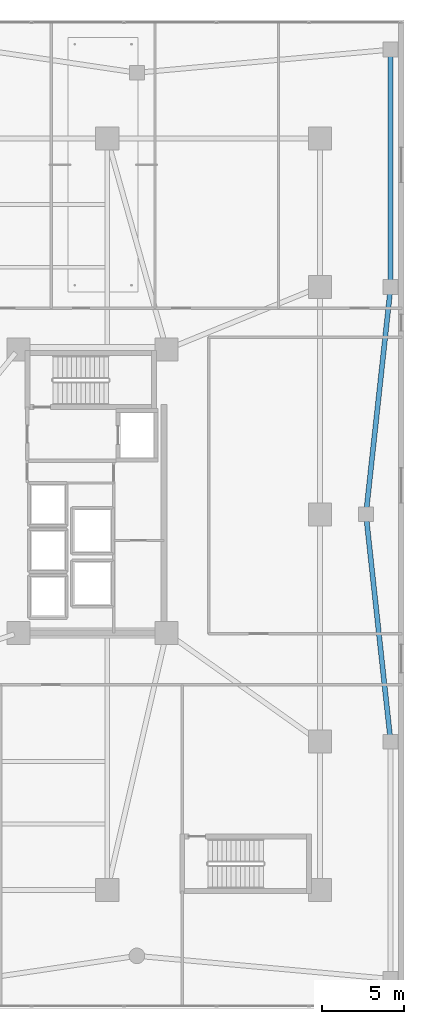
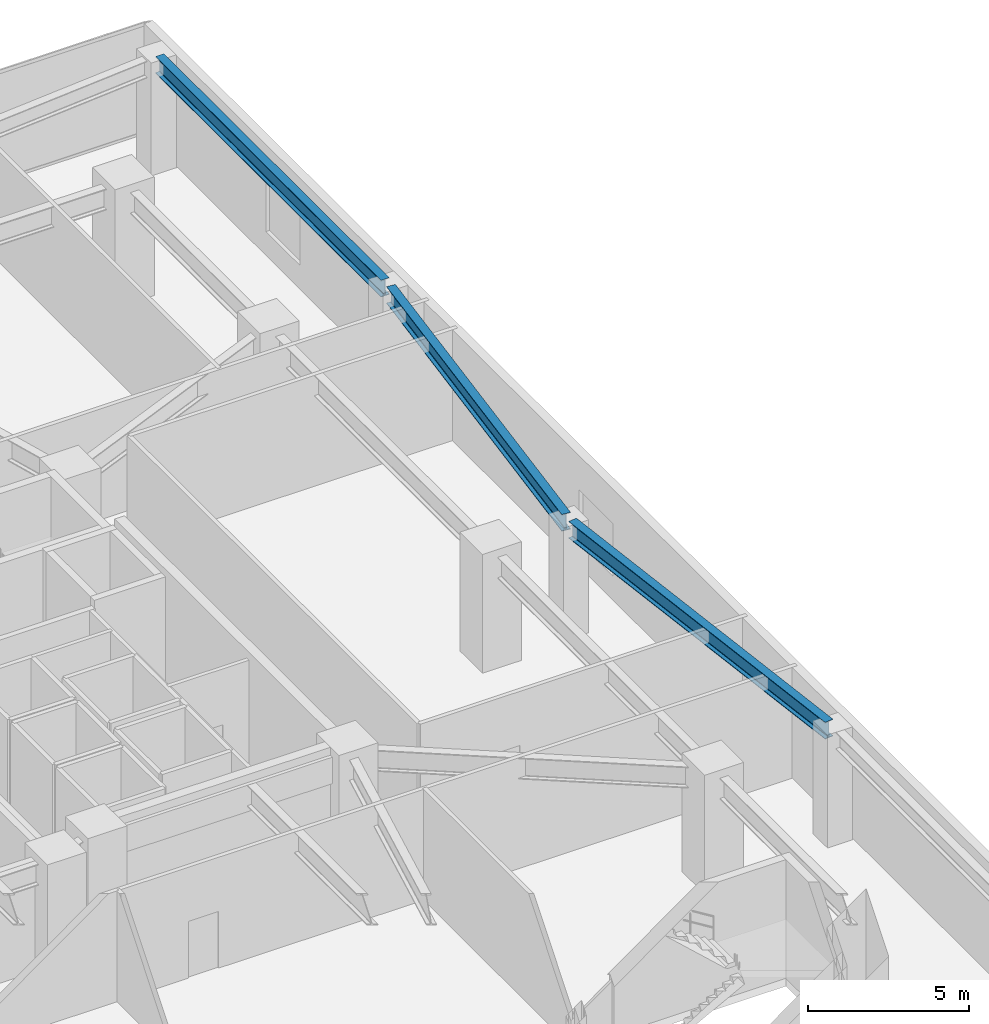
# One storey, part 16 of 29: 3 beams.
"""IFC4 building model written with IfcOpenShell, lengths in metres."""

from ifc_helpers import new_model, si_unit, direction, frame, origin, origin_2d, place, context, subcontext, project, spatial, i_section, extrude, material, material_profile, profile_set, type_object, element, save


model = new_model("IFC4")

# Units and contexts
model_context = context("Model", 3, precision=1e-05, world=origin(), true_north=direction((0.0, 1.0)))
body_context = subcontext(model_context, "Body", "Model", "MODEL_VIEW")
ifc_project = project(units=[si_unit("LENGTHUNIT", "METRE"), si_unit("AREAUNIT", "SQUARE_METRE"), si_unit("VOLUMEUNIT", "CUBIC_METRE"), si_unit("PLANEANGLEUNIT", "RADIAN"), si_unit("MASSUNIT", "GRAM", prefix="KILO")], contexts=[model_context])

# Site, building, storey
site_placement = place(None, origin())
site = spatial("IfcSite", under=ifc_project, at=site_placement, CompositionType="ELEMENT")
building_placement = place(site_placement, origin())
building = spatial("IfcBuilding", under=site, at=building_placement, Name="Tarnavaz Court Tower", CompositionType="ELEMENT")
storey_placement = place(building_placement, frame((0.0, 0.0, 5.39990234375)))
storey = spatial("IfcBuildingStorey", under=building, at=storey_placement, Name="L01", CompositionType="ELEMENT", Elevation=5.39990234375)

# Beams
ifc_material = material(Name="Steel S355", Category="steel")
ifc_material_profile = material_profile(ifc_material, i_section(OverallWidth=0.300048828125, OverallDepth=0.639892578125, WebThickness=0.013427734375, FlangeThickness=0.02587890625, FilletRadius=0.027099609375, at=origin_2d()), Name="HEA 650")
ifc_profile_set = profile_set([ifc_material_profile], Name="Steel S355")
beam_type = type_object("IfcBeamType", Name="BM-SP-HEA650", PredefinedType="SPANDREL", material=ifc_profile_set)
for number, where, z_axis, x_axis, name in (
    (1, (32.178466796875, -13.601318359375, 3.960205078125), (-0.10805801352, 0.994144589944, 0.0), (-0.994144589944, -0.10805801352, 0.0), "L01 Beam PR-POD-E1-POD-E2"),
    (2, (30.7216796875, 0.19873046875, 3.960205078125), (0.10805801352, 0.994144589944, 0.0), (-0.994144589944, 0.10805801352, 0.0), "L01 Beam PR-POD-E2-POD-E3"),
):
    element("IfcBeam", number, at=place(storey_placement, frame(where, z_axis=z_axis, x_axis=x_axis)), inside=storey, type_object=beam_type, Name=name, PredefinedType="SPANDREL", context=body_context, shape_type="SweptSolid", body=[
        extrude(i_section(OverallWidth=0.300048828125, OverallDepth=0.639892578125, WebThickness=0.013427734375, FlangeThickness=0.02587890625, FilletRadius=0.027099609375, at=origin_2d()), origin(), (0.0, 0.0, 1.0), 13.4814453125),
    ])
beam_placement = place(storey_placement, frame((32.199951171875, 14.0, 3.960205078125), z_axis=(0.0, 1.0, 0.0), x_axis=(-1.0, 0.0, 0.0)))
element("IfcBeam", 3, at=beam_placement, inside=storey, type_object=beam_type, Name="L01 Beam PR-POD-E3-POD-NE1", PredefinedType="SPANDREL", context=body_context, shape_type="SweptSolid", body=[
    extrude(i_section(OverallWidth=0.300048828125, OverallDepth=0.639892578125, WebThickness=0.013427734375, FlangeThickness=0.02587890625, FilletRadius=0.027099609375, at=origin_2d()), origin(), (0.0, 0.0, 1.0), 14.0),
])

save(model, "model.ifc")
